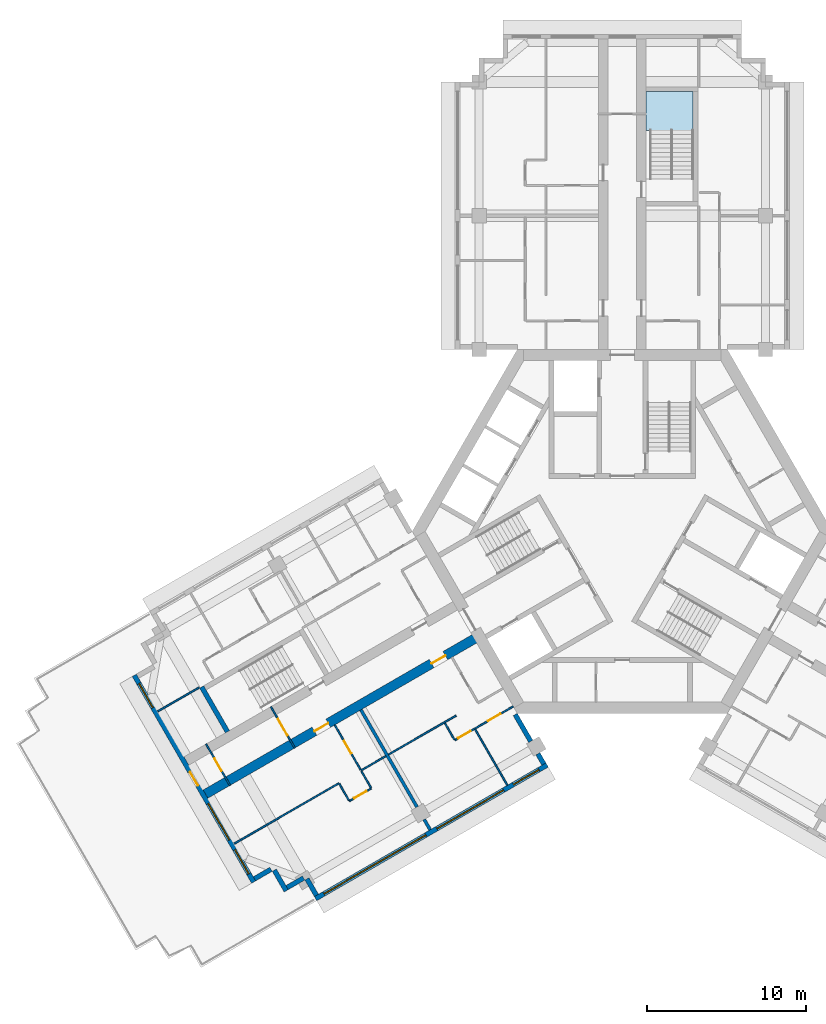
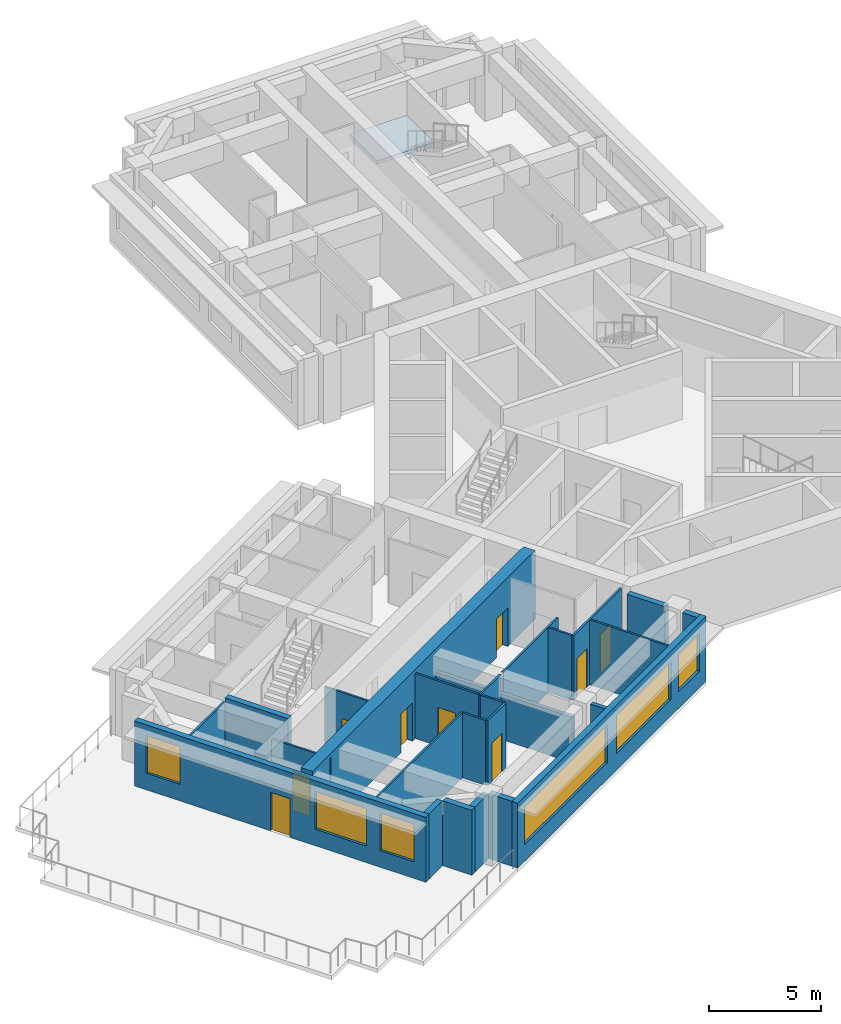
# One storey, part 2 of 11: 25 walls, 9 doors, 6 windows, 1 slab, 15 openings, 1 element without a shape of its own.
"""IFC4 building model written with IfcOpenShell, lengths in metres."""

from ifc_helpers import new_model, si_unit, direction, frame, frame_2d, origin, place, context, subcontext, project, spatial, polyline, rectangle, outline, extrude, material, layer, layer_set, type_object, element, fill, aggregate, save


model = new_model("IFC4")

# Units and contexts
model_context = context("Model", 3, precision=1e-05, world=origin(), true_north=direction((0.0, 1.0)))
body_context = subcontext(model_context, "Body", "Model", "MODEL_VIEW")
ifc_project = project(units=[si_unit("LENGTHUNIT", "METRE"), si_unit("AREAUNIT", "SQUARE_METRE"), si_unit("VOLUMEUNIT", "CUBIC_METRE"), si_unit("PLANEANGLEUNIT", "RADIAN"), si_unit("MASSUNIT", "GRAM", prefix="KILO")], contexts=[model_context])

# Site, building, storey
site_placement = place(None, origin())
site = spatial("IfcSite", under=ifc_project, at=site_placement, CompositionType="ELEMENT")
building_placement = place(site_placement, origin())
building = spatial("IfcBuilding", under=site, at=building_placement, Name="Impinga Residences", CompositionType="ELEMENT")
storey_placement = place(building_placement, frame((0.0, 0.0, 218.5)))
storey = spatial("IfcBuildingStorey", under=building, at=storey_placement, Name="L54", CompositionType="ELEMENT", Elevation=218.5)

# Stair, slab
ifc_material_1 = material(Name="Concrete C40/50", Category="concrete")
stair_type = type_object("IfcStairType", Name="STR wing stair 3750 storey, 24 risers", PredefinedType="HALF_TURN_STAIR", material=ifc_material_1)
stair_placement = place(storey_placement, origin())
stair = element("IfcStair", 1, at=stair_placement, inside=storey, type_object=stair_type, Name="Stair WS1 L54", PredefinedType="HALF_TURN_STAIR")
ifc_layer_1 = layer(ifc_material_1, 0.199951171875)
ifc_layer_set_1 = layer_set([ifc_layer_1], Name="Concrete C40/50")
slab_type = type_object("IfcSlabType", Name="LS1 stair landing 200", PredefinedType="LANDING", material=ifc_layer_set_1)
slab_placement = place(storey_placement, frame((0.0, 0.0, 1.675048828125)))
slab = element("IfcSlab", 2, at=slab_placement, type_object=slab_type, Name="WS1 landing 2", PredefinedType="LANDING", context=body_context, shape_type="SweptSolid", body=[
    extrude(outline(polyline([(1.5, 25.201416015625), (4.449951171875, 25.201416015625), (4.449951171875, 27.631591796875), (1.5, 27.631591796875), (1.5, 25.201416015625)])), origin(), (0.0, 0.0, 1.0), 0.199951171875),
])
aggregate(stair, [slab])

# Wall, openings, doors
ifc_material_2 = material(Name="Concrete C60/75", Category="concrete")
ifc_layer_2 = layer(ifc_material_2, 0.60009765625)
ifc_layer_set_2 = layer_set([ifc_layer_2], Name="Concrete C60/75")
wall_type_1 = type_object("IfcWallType", Name="BW3 corridor buttress wall, L46 to L73 600", PredefinedType="SHEAR", material=ifc_layer_set_2)
wall_1_placement = place(storey_placement, frame((-8.996826171875, -6.580078125, 0.0), z_axis=(0.0, 0.0, 1.0), x_axis=(-0.866030540451, -0.499991102927, 0.0)))
wall_1 = element("IfcWall", 3, at=wall_1_placement, inside=storey, type_object=wall_type_1, Name="Corridor wall BW3 WC L54", PredefinedType="SHEAR", context=body_context, shape_type="SweptSolid", body=[
    extrude(rectangle(XDim=19.849853515625, YDim=0.60009765625, at=frame_2d((9.9248046875, 0.0))), origin(), (0.0, 0.0, 1.0), 3.75),
])
opening_1_placement = place(wall_1_placement, frame((2.449951171875, 0.0, 0.0)))
opening_1 = element("IfcOpeningElement", 4, at=opening_1_placement, cuts=wall_1, Name="Opening D1", PredefinedType="OPENING", context=body_context, shape_type="SweptSolid", body=[
    extrude(rectangle(XDim=1.0, YDim=2.10009765625, at=frame_2d((0.5, 1.050048828125))), frame((0.0, 0.31005859375, 0.0), z_axis=(0.0, -1.0, 0.0), x_axis=(1.0, 0.0, 0.0)), (0.0, 0.0, 1.0), 0.6201171875),
])
opening_2_placement = place(wall_1_placement, frame((10.949951171875, 0.0, 0.0)))
opening_2 = element("IfcOpeningElement", 5, at=opening_2_placement, cuts=wall_1, Name="Opening D1", PredefinedType="OPENING", context=body_context, shape_type="SweptSolid", body=[
    extrude(rectangle(XDim=1.0, YDim=2.10009765625, at=frame_2d((0.5, 1.050048828125))), frame((0.0, 0.31005859375, 0.0), z_axis=(0.0, -1.0, 0.0), x_axis=(1.0, 0.0, 0.0)), (0.0, 0.0, 1.0), 0.6201171875),
])
ifc_material_3 = material(Name="Timber door set", Category="wood")
door_type_1 = type_object("IfcDoorType", Name="D1 apartment entrance door 1000x2100", OperationType="SINGLE_SWING_LEFT", PredefinedType="DOOR", material=ifc_material_3)
door_1_placement = place(opening_1_placement, origin())
door_1 = element("IfcDoor", 6, at=door_1_placement, inside=storey, type_object=door_type_1, Name="Apartment L54-WA1 entrance", OperationType="SINGLE_SWING_LEFT", OverallHeight=2.10009765625, OverallWidth=1.0, PredefinedType="DOOR", context=body_context, shape_type="SweptSolid", body=[
    extrude(rectangle(XDim=1.0, YDim=2.10009765625, at=frame_2d((0.5, 1.050048828125))), frame((0.0, 0.02490234375, 0.0), z_axis=(0.0, -1.0, 0.0), x_axis=(1.0, 0.0, 0.0)), (0.0, 0.0, 1.0), 0.050048828125),
])
fill(opening_1, door_1)
door_2_placement = place(opening_2_placement, origin())
door_2 = element("IfcDoor", 7, at=door_2_placement, inside=storey, type_object=door_type_1, Name="Apartment L54-WA2 entrance", OperationType="SINGLE_SWING_RIGHT", OverallHeight=2.10009765625, OverallWidth=1.0, PredefinedType="DOOR", context=body_context, shape_type="SweptSolid", body=[
    extrude(rectangle(XDim=1.0, YDim=2.10009765625, at=frame_2d((0.5, 1.050048828125))), frame((0.0, 0.02490234375, 0.0), z_axis=(0.0, -1.0, 0.0), x_axis=(1.0, 0.0, 0.0)), (0.0, 0.0, 1.0), 0.050048828125),
])
fill(opening_2, door_2)

# Wall, opening, door
ifc_material_4 = material(Name="Concrete blockwork", Category="masonry")
ifc_layer_3 = layer(ifc_material_4, 0.10009765625)
ifc_layer_set_3 = layer_set([ifc_layer_3], Name="CP1 core room partition, blockwork 100")
wall_type_2 = type_object("IfcWallType", Name="CP1 core room partition, blockwork 100", PredefinedType="PARTITIONING", material=ifc_layer_set_3)
wall_2_placement = place(storey_placement, frame((-20.58154296875, -13.61474609375, 0.0), z_axis=(0.0, 0.0, 1.0), x_axis=(-0.50002537861, 0.866010750942, 0.0)))
wall_2 = element("IfcWall", 8, at=wall_2_placement, inside=storey, type_object=wall_type_2, Name="Core room partition, blockwork L54:W:LNG", PredefinedType="PARTITIONING", context=body_context, shape_type="SweptSolid", body=[
    extrude(rectangle(XDim=2.999755859375, YDim=0.10009765625, at=frame_2d((1.5, 0.0))), origin(), (0.0, 0.0, 1.0), 3.530029296875),
])
opening_3_placement = place(wall_2_placement, frame((0.89990234375, 0.0, 0.0)))
opening_3 = element("IfcOpeningElement", 9, at=opening_3_placement, cuts=wall_2, Name="Opening D3", PredefinedType="OPENING", context=body_context, shape_type="SweptSolid", body=[
    extrude(rectangle(XDim=1.199951171875, YDim=2.10009765625, at=frame_2d((0.60009765625, 1.050048828125))), frame((0.0, 0.06005859375, 0.0), z_axis=(0.0, -1.0, 0.0), x_axis=(1.0, 0.0, 0.0)), (0.0, 0.0, 1.0), 0.1201171875),
])
door_type_2 = type_object("IfcDoorType", Name="D3 room door, leaf and a half 1200x2100", OperationType="DOUBLE_SWING_LEFT", PredefinedType="DOOR", material=ifc_material_3)
door_3_placement = place(opening_3_placement, origin())
door_3 = element("IfcDoor", 10, at=door_3_placement, inside=storey, type_object=door_type_2, Name="Residents' lounge door W", OperationType="DOUBLE_SWING_LEFT", OverallHeight=2.10009765625, OverallWidth=1.199951171875, PredefinedType="DOOR", context=body_context, shape_type="SweptSolid", body=[
    extrude(rectangle(XDim=1.199951171875, YDim=2.10009765625, at=frame_2d((0.60009765625, 1.050048828125))), frame((0.0, 0.02490234375, 0.0), z_axis=(0.0, -1.0, 0.0), x_axis=(1.0, 0.0, 0.0)), (0.0, 0.0, 1.0), 0.050048828125),
])
fill(opening_3, door_3)

wall_3_placement = place(storey_placement, frame((-24.65185546875, -15.96484375, 0.0), z_axis=(0.0, 0.0, 1.0), x_axis=(-0.499990139034, 0.866031096941, 0.0)))
wall_3 = element("IfcWall", 11, at=wall_3_placement, inside=storey, type_object=wall_type_2, Name="Core room partition, blockwork L54:W:RFA", PredefinedType="PARTITIONING", context=body_context, shape_type="SweptSolid", body=[
    extrude(rectangle(XDim=3.0, YDim=0.10009765625, at=frame_2d((1.5, 0.0))), origin(), (0.0, 0.0, 1.0), 3.530029296875),
])
opening_4_placement = place(wall_3_placement, frame((1.050048828125, 0.0, 0.0)))
opening_4 = element("IfcOpeningElement", 12, at=opening_4_placement, cuts=wall_3, Name="Opening D6", PredefinedType="OPENING", context=body_context, shape_type="SweptSolid", body=[
    extrude(rectangle(XDim=0.89990234375, YDim=2.10009765625, at=frame_2d((0.449951171875, 1.050048828125))), frame((0.0, 0.06005859375, 0.0), z_axis=(0.0, -1.0, 0.0), x_axis=(1.0, 0.0, 0.0)), (0.0, 0.0, 1.0), 0.1201171875),
])
door_type_3 = type_object("IfcDoorType", Name="D6 riser and store door 900x2100", OperationType="SINGLE_SWING_LEFT", PredefinedType="DOOR", material=ifc_material_3)
door_4_placement = place(opening_4_placement, origin())
door_4 = element("IfcDoor", 13, at=door_4_placement, inside=storey, type_object=door_type_3, Name="Roof access room door W", OperationType="SINGLE_SWING_RIGHT", OverallHeight=2.10009765625, OverallWidth=0.89990234375, PredefinedType="DOOR", context=body_context, shape_type="SweptSolid", body=[
    extrude(rectangle(XDim=0.89990234375, YDim=2.10009765625, at=frame_2d((0.449951171875, 1.050048828125))), frame((0.0, 0.02490234375, 0.0), z_axis=(0.0, -1.0, 0.0), x_axis=(1.0, 0.0, 0.0)), (0.0, 0.0, 1.0), 0.050048828125),
])
fill(opening_4, door_4)

# Walls
ifc_material_5 = material(Name="Terracotta rainscreen on blockwork", Category="masonry")
ifc_layer_4 = layer(ifc_material_5, 0.300048828125)
ifc_layer_set_4 = layer_set([ifc_layer_4], Name="EW1 external wall, terracotta rainscreen on blockwork 300")
wall_type_3 = type_object("IfcWallType", Name="EW1 external wall, terracotta rainscreen on blockwork 300", PredefinedType="SOLIDWALL", material=ifc_layer_set_4)
wall_4_placement = place(storey_placement, frame((-6.72998046875, -11.506591796875, 0.0), z_axis=(0.0, 0.0, 1.0), x_axis=(0.500043961785, -0.866000020948, 0.0)))
element("IfcWall", 14, at=wall_4_placement, inside=storey, type_object=wall_type_3, Name="External wall EW1 L54", PredefinedType="SOLIDWALL", context=body_context, shape_type="SweptSolid", body=[
    extrude(rectangle(XDim=1.949951171875, YDim=0.300048828125, at=frame_2d((0.97509765625, 0.0))), origin(), (0.0, 0.0, 1.0), 3.530029296875),
])
wall_5_placement = place(storey_placement, frame((-5.304931640625, -13.974609375, 0.0), z_axis=(0.0, 0.0, 1.0), x_axis=(0.499919672301, -0.866071776036, 0.0)))
element("IfcWall", 15, at=wall_5_placement, inside=storey, type_object=wall_type_3, Name="External wall EW1 L54", PredefinedType="SOLIDWALL", context=body_context, shape_type="SweptSolid", body=[
    extrude(rectangle(XDim=0.75, YDim=0.300048828125, at=frame_2d((0.375, 0.0))), origin(), (0.0, 0.0, 1.0), 3.530029296875),
])

# Wall, openings, windows
wall_6_placement = place(storey_placement, frame((-4.72509765625, -14.67919921875, 0.0), z_axis=(0.0, 0.0, 1.0), x_axis=(-0.86602562146, -0.499999622975, 0.0)))
wall_6 = element("IfcWall", 16, at=wall_6_placement, inside=storey, type_object=wall_type_3, Name="External wall EW1 L54", PredefinedType="SOLIDWALL", context=body_context, shape_type="SweptSolid", body=[
    extrude(rectangle(XDim=16.7998046875, YDim=0.300048828125, at=frame_2d((8.39990234375, 0.0))), origin(), (0.0, 0.0, 1.0), 3.530029296875),
])
opening_5_placement = place(wall_6_placement, frame((0.60009765625, 0.0, 0.89990234375)))
opening_5 = element("IfcOpeningElement", 17, at=opening_5_placement, cuts=wall_6, Name="Opening W15", PredefinedType="OPENING", context=body_context, shape_type="SweptSolid", body=[
    extrude(rectangle(XDim=1.85009765625, YDim=2.050048828125, at=frame_2d((0.925048828125, 1.02490234375))), frame((0.0, 0.159912109375, 0.0), z_axis=(0.0, -1.0, 0.0), x_axis=(1.0, 0.0, 0.0)), (0.0, 0.0, 1.0), 0.320068359375),
])
opening_6_placement = place(wall_6_placement, frame((3.14990234375, 0.0, 0.89990234375)))
opening_6 = element("IfcOpeningElement", 18, at=opening_6_placement, cuts=wall_6, Name="Opening W6", PredefinedType="OPENING", context=body_context, shape_type="SweptSolid", body=[
    extrude(rectangle(XDim=4.85009765625, YDim=2.050048828125, at=frame_2d((2.425048828125, 1.02490234375))), frame((0.0, 0.159912109375, 0.0), z_axis=(0.0, -1.0, 0.0), x_axis=(1.0, 0.0, 0.0)), (0.0, 0.0, 1.0), 0.320068359375),
])
opening_7_placement = place(wall_6_placement, frame((8.800048828125, 0.0, 0.89990234375)))
opening_7 = element("IfcOpeningElement", 19, at=opening_7_placement, cuts=wall_6, Name="Opening W12", PredefinedType="OPENING", context=body_context, shape_type="SweptSolid", body=[
    extrude(rectangle(XDim=7.39990234375, YDim=2.050048828125, at=frame_2d((3.699951171875, 1.02490234375))), frame((0.0, 0.159912109375, 0.0), z_axis=(0.0, -1.0, 0.0), x_axis=(1.0, 0.0, 0.0)), (0.0, 0.0, 1.0), 0.320068359375),
])
ifc_material_6 = material(Name="Aluminium window, clear double glazing", Category="aluminium")
window_type_1 = type_object("IfcWindowType", Name="W12 ribbon window 7400x2050", PartitioningType="SINGLE_PANEL", PredefinedType="WINDOW", material=ifc_material_6)
window_1_placement = place(opening_7_placement, origin())
window_1 = element("IfcWindow", 20, at=window_1_placement, inside=storey, type_object=window_type_1, Name="Window L54", OverallHeight=2.050048828125, OverallWidth=7.39990234375, PartitioningType="SINGLE_PANEL", PredefinedType="WINDOW", context=body_context, shape_type="SweptSolid", body=[
    extrude(rectangle(XDim=7.39990234375, YDim=2.050048828125, at=frame_2d((3.699951171875, 1.02490234375))), frame((0.0, 0.030029296875, 0.0), z_axis=(0.0, -1.0, 0.0), x_axis=(1.0, 0.0, 0.0)), (0.0, 0.0, 1.0), 0.06005859375),
])
fill(opening_7, window_1)
window_type_2 = type_object("IfcWindowType", Name="W15 ribbon window 1850x2050", PartitioningType="SINGLE_PANEL", PredefinedType="WINDOW", material=ifc_material_6)
window_2_placement = place(opening_5_placement, origin())
window_2 = element("IfcWindow", 21, at=window_2_placement, inside=storey, type_object=window_type_2, Name="Window L54", OverallHeight=2.050048828125, OverallWidth=1.85009765625, PartitioningType="SINGLE_PANEL", PredefinedType="WINDOW", context=body_context, shape_type="SweptSolid", body=[
    extrude(rectangle(XDim=1.85009765625, YDim=2.050048828125, at=frame_2d((0.925048828125, 1.02490234375))), frame((0.0, 0.030029296875, 0.0), z_axis=(0.0, -1.0, 0.0), x_axis=(1.0, 0.0, 0.0)), (0.0, 0.0, 1.0), 0.06005859375),
])
fill(opening_5, window_2)
window_type_3 = type_object("IfcWindowType", Name="W6 ribbon window 4850x2050", PartitioningType="SINGLE_PANEL", PredefinedType="WINDOW", material=ifc_material_6)
window_3_placement = place(opening_6_placement, origin())
window_3 = element("IfcWindow", 22, at=window_3_placement, inside=storey, type_object=window_type_3, Name="Window L54", OverallHeight=2.050048828125, OverallWidth=4.85009765625, PartitioningType="SINGLE_PANEL", PredefinedType="WINDOW", context=body_context, shape_type="SweptSolid", body=[
    extrude(rectangle(XDim=4.85009765625, YDim=2.050048828125, at=frame_2d((2.425048828125, 1.02490234375))), frame((0.0, 0.030029296875, 0.0), z_axis=(0.0, -1.0, 0.0), x_axis=(1.0, 0.0, 0.0)), (0.0, 0.0, 1.0), 0.06005859375),
])
fill(opening_6, window_3)

# Walls
wall_7_placement = place(storey_placement, frame((-19.21923828125, -22.874267578125, 0.0), z_axis=(0.0, 0.0, 1.0), x_axis=(-0.500033551112, 0.866006032174, 0.0)))
element("IfcWall", 23, at=wall_7_placement, inside=storey, type_object=wall_type_3, Name="External wall EW1 L54", PredefinedType="SOLIDWALL", context=body_context, shape_type="SweptSolid", body=[
    extrude(rectangle(XDim=1.2001953125, YDim=0.300048828125, at=frame_2d((0.60009765625, 0.0))), origin(), (0.0, 0.0, 1.0), 3.530029296875),
])
wall_8_placement = place(storey_placement, frame((-20.028564453125, -21.782470703125, 0.0), z_axis=(0.0, 0.0, 1.0), x_axis=(-0.865971243484, -0.500093796661, 0.0)))
element("IfcWall", 24, at=wall_8_placement, inside=storey, type_object=wall_type_3, Name="External wall EW1 L54", PredefinedType="SOLIDWALL", context=body_context, shape_type="SweptSolid", body=[
    extrude(rectangle(XDim=1.195068359375, YDim=0.300048828125, at=frame_2d((0.59765625, 0.0))), origin(), (0.0, 0.0, 1.0), 3.530029296875),
])
wall_9_placement = place(storey_placement, frame((-21.118408203125, -22.5849609375, 0.0), z_axis=(0.0, 0.0, 1.0), x_axis=(-0.499990139034, 0.866031096941, 0.0)))
element("IfcWall", 25, at=wall_9_placement, inside=storey, type_object=wall_type_3, Name="External wall EW1 L54", PredefinedType="SOLIDWALL", context=body_context, shape_type="SweptSolid", body=[
    extrude(rectangle(XDim=1.5, YDim=0.300048828125, at=frame_2d((0.75, 0.0))), origin(), (0.0, 0.0, 1.0), 3.530029296875),
])
wall_10_placement = place(storey_placement, frame((-22.07763671875, -21.233642578125, 0.0), z_axis=(0.0, 0.0, 1.0), x_axis=(-0.866059708757, -0.499940577336, 0.0)))
element("IfcWall", 26, at=wall_10_placement, inside=storey, type_object=wall_type_3, Name="External wall EW1 L54", PredefinedType="SOLIDWALL", context=body_context, shape_type="SweptSolid", body=[
    extrude(rectangle(XDim=1.195068359375, YDim=0.300048828125, at=frame_2d((0.59765625, 0.0))), origin(), (0.0, 0.0, 1.0), 3.530029296875),
])

# Wall, openings, door, windows
wall_11_placement = place(storey_placement, frame((-23.16748046875, -22.035888671875, 0.0), z_axis=(0.0, 0.0, 1.0), x_axis=(-0.500004234368, 0.866022959057, 0.0)))
wall_11 = element("IfcWall", 27, at=wall_11_placement, inside=storey, type_object=wall_type_3, Name="External wall EW1 L54", PredefinedType="SOLIDWALL", context=body_context, shape_type="SweptSolid", body=[
    extrude(rectangle(XDim=14.999755859375, YDim=0.300048828125, at=frame_2d((7.5, 0.0))), origin(), (0.0, 0.0, 1.0), 3.530029296875),
])
opening_8_placement = place(wall_11_placement, frame((7.0, 0.0, 0.0)))
opening_8 = element("IfcOpeningElement", 28, at=opening_8_placement, cuts=wall_11, Name="Opening RD1", PredefinedType="OPENING", context=body_context, shape_type="SweptSolid", body=[
    extrude(rectangle(XDim=1.0, YDim=2.10009765625, at=frame_2d((0.5, 1.050048828125))), frame((0.0, 0.159912109375, 0.0), z_axis=(0.0, -1.0, 0.0), x_axis=(1.0, 0.0, 0.0)), (0.0, 0.0, 1.0), 0.320068359375),
])
opening_9_placement = place(wall_11_placement, frame((0.60009765625, 0.0, 0.89990234375)))
opening_9 = element("IfcOpeningElement", 29, at=opening_9_placement, cuts=wall_11, Name="Opening W1", PredefinedType="OPENING", context=body_context, shape_type="SweptSolid", body=[
    extrude(rectangle(XDim=1.75, YDim=2.050048828125, at=frame_2d((0.875, 1.02490234375))), frame((0.0, 0.159912109375, 0.0), z_axis=(0.0, -1.0, 0.0), x_axis=(1.0, 0.0, 0.0)), (0.0, 0.0, 1.0), 0.320068359375),
])
opening_10_placement = place(wall_11_placement, frame((3.050048828125, 0.0, 0.89990234375)))
opening_10 = element("IfcOpeningElement", 30, at=opening_10_placement, cuts=wall_11, Name="Opening W18", PredefinedType="OPENING", context=body_context, shape_type="SweptSolid", body=[
    extrude(rectangle(XDim=2.64990234375, YDim=2.050048828125, at=frame_2d((1.324951171875, 1.02490234375))), frame((0.0, 0.159912109375, 0.0), z_axis=(0.0, -1.0, 0.0), x_axis=(1.0, 0.0, 0.0)), (0.0, 0.0, 1.0), 0.320068359375),
])
opening_11_placement = place(wall_11_placement, frame((12.64990234375, 0.0, 0.89990234375)))
opening_11 = element("IfcOpeningElement", 31, at=opening_11_placement, cuts=wall_11, Name="Opening W1", PredefinedType="OPENING", context=body_context, shape_type="SweptSolid", body=[
    extrude(rectangle(XDim=1.75, YDim=2.050048828125, at=frame_2d((0.875, 1.02490234375))), frame((0.0, 0.159912109375, 0.0), z_axis=(0.0, -1.0, 0.0), x_axis=(1.0, 0.0, 0.0)), (0.0, 0.0, 1.0), 0.320068359375),
])
ifc_material_7 = material(Name="Steel door, painted", Category="steel")
door_type_4 = type_object("IfcDoorType", Name="RD1 maintenance roof access door 1000x2100", OperationType="SINGLE_SWING_LEFT", PredefinedType="DOOR", material=ifc_material_7)
door_5_placement = place(opening_8_placement, origin())
door_5 = element("IfcDoor", 32, at=door_5_placement, inside=storey, type_object=door_type_4, Name="Maintenance roof access door L54", OperationType="SINGLE_SWING_LEFT", OverallHeight=2.10009765625, OverallWidth=1.0, PredefinedType="DOOR", context=body_context, shape_type="SweptSolid", body=[
    extrude(rectangle(XDim=1.0, YDim=2.10009765625, at=frame_2d((0.5, 1.050048828125))), frame((0.0, 0.02490234375, 0.0), z_axis=(0.0, -1.0, 0.0), x_axis=(1.0, 0.0, 0.0)), (0.0, 0.0, 1.0), 0.050048828125),
])
fill(opening_8, door_5)
window_type_4 = type_object("IfcWindowType", Name="W1 ribbon window 1750x2050", PartitioningType="SINGLE_PANEL", PredefinedType="WINDOW", material=ifc_material_6)
window_4_placement = place(opening_9_placement, origin())
window_4 = element("IfcWindow", 33, at=window_4_placement, inside=storey, type_object=window_type_4, Name="Window L54", OverallHeight=2.050048828125, OverallWidth=1.75, PartitioningType="SINGLE_PANEL", PredefinedType="WINDOW", context=body_context, shape_type="SweptSolid", body=[
    extrude(rectangle(XDim=1.75, YDim=2.050048828125, at=frame_2d((0.875, 1.02490234375))), frame((0.0, 0.030029296875, 0.0), z_axis=(0.0, -1.0, 0.0), x_axis=(1.0, 0.0, 0.0)), (0.0, 0.0, 1.0), 0.06005859375),
])
fill(opening_9, window_4)
window_5_placement = place(opening_11_placement, origin())
window_5 = element("IfcWindow", 34, at=window_5_placement, inside=storey, type_object=window_type_4, Name="Window L54", OverallHeight=2.050048828125, OverallWidth=1.75, PartitioningType="SINGLE_PANEL", PredefinedType="WINDOW", context=body_context, shape_type="SweptSolid", body=[
    extrude(rectangle(XDim=1.75, YDim=2.050048828125, at=frame_2d((0.875, 1.02490234375))), frame((0.0, 0.030029296875, 0.0), z_axis=(0.0, -1.0, 0.0), x_axis=(1.0, 0.0, 0.0)), (0.0, 0.0, 1.0), 0.06005859375),
])
fill(opening_11, window_5)
window_type_5 = type_object("IfcWindowType", Name="W18 ribbon window 2650x2050", PartitioningType="SINGLE_PANEL", PredefinedType="WINDOW", material=ifc_material_6)
window_6_placement = place(opening_10_placement, origin())
window_6 = element("IfcWindow", 35, at=window_6_placement, inside=storey, type_object=window_type_5, Name="Window L54", OverallHeight=2.050048828125, OverallWidth=2.64990234375, PartitioningType="SINGLE_PANEL", PredefinedType="WINDOW", context=body_context, shape_type="SweptSolid", body=[
    extrude(rectangle(XDim=2.64990234375, YDim=2.050048828125, at=frame_2d((1.324951171875, 1.02490234375))), frame((0.0, 0.030029296875, 0.0), z_axis=(0.0, -1.0, 0.0), x_axis=(1.0, 0.0, 0.0)), (0.0, 0.0, 1.0), 0.06005859375),
])
fill(opening_10, window_6)

# Wall
ifc_material_8 = material(Name="Gypsum board on steel studs", Category="steel")
ifc_layer_5 = layer(ifc_material_8, 0.10009765625)
ifc_layer_set_5 = layer_set([ifc_layer_5], Name="Gypsum board on steel studs")
wall_type_4 = type_object("IfcWallType", Name="IP1 partition 100", PredefinedType="PARTITIONING", material=ifc_layer_set_5)
wall_12_placement = place(storey_placement, frame((-10.444580078125, -11.57275390625, 0.0), z_axis=(0.0, 0.0, 1.0), x_axis=(-0.866023786258, -0.500002801628, 0.0)))
element("IfcWall", 36, at=wall_12_placement, inside=storey, type_object=wall_type_4, Name="Partition L54-WA1:DIV1", PredefinedType="PARTITIONING", context=body_context, shape_type="SweptSolid", body=[
    extrude(rectangle(XDim=4.89990234375, YDim=0.10009765625, at=frame_2d((2.449951171875, 0.0))), origin(), (0.0, 0.0, 1.0), 3.530029296875),
])

# Wall, openings, doors
wall_13_placement = place(storey_placement, frame((-6.85009765625, -10.99853515625, 0.0), z_axis=(0.0, 0.0, 1.0), x_axis=(-0.866014341725, -0.50001915956, 0.0)))
wall_13 = element("IfcWall", 37, at=wall_13_placement, inside=storey, type_object=wall_type_4, Name="Partition L54-WA1:STRIP", PredefinedType="PARTITIONING", context=body_context, shape_type="SweptSolid", body=[
    extrude(rectangle(XDim=4.249755859375, YDim=0.10009765625, at=frame_2d((2.125, 0.0))), origin(), (0.0, 0.0, 1.0), 3.530029296875),
])
opening_12_placement = place(wall_13_placement, frame((0.925048828125, 0.0, 0.0)))
opening_12 = element("IfcOpeningElement", 38, at=opening_12_placement, cuts=wall_13, Name="Opening D2", PredefinedType="OPENING", context=body_context, shape_type="SweptSolid", body=[
    extrude(rectangle(XDim=0.89990234375, YDim=2.10009765625, at=frame_2d((0.449951171875, 1.050048828125))), frame((0.0, 0.06005859375, 0.0), z_axis=(0.0, -1.0, 0.0), x_axis=(1.0, 0.0, 0.0)), (0.0, 0.0, 1.0), 0.1201171875),
])
opening_13_placement = place(wall_13_placement, frame((3.10009765625, 0.0, 0.0)))
opening_13 = element("IfcOpeningElement", 39, at=opening_13_placement, cuts=wall_13, Name="Opening D2", PredefinedType="OPENING", context=body_context, shape_type="SweptSolid", body=[
    extrude(rectangle(XDim=0.89990234375, YDim=2.10009765625, at=frame_2d((0.449951171875, 1.050048828125))), frame((0.0, 0.06005859375, 0.0), z_axis=(0.0, -1.0, 0.0), x_axis=(1.0, 0.0, 0.0)), (0.0, 0.0, 1.0), 0.1201171875),
])
door_type_5 = type_object("IfcDoorType", Name="D2 internal door 900x2100", OperationType="SINGLE_SWING_LEFT", PredefinedType="DOOR", material=ifc_material_3)
door_6_placement = place(opening_12_placement, origin())
door_6 = element("IfcDoor", 40, at=door_6_placement, inside=storey, type_object=door_type_5, Name="Apartment L54-WA1 room door", OperationType="SINGLE_SWING_LEFT", OverallHeight=2.10009765625, OverallWidth=0.89990234375, PredefinedType="DOOR", context=body_context, shape_type="SweptSolid", body=[
    extrude(rectangle(XDim=0.89990234375, YDim=2.10009765625, at=frame_2d((0.449951171875, 1.050048828125))), frame((0.0, 0.02490234375, 0.0), z_axis=(0.0, -1.0, 0.0), x_axis=(1.0, 0.0, 0.0)), (0.0, 0.0, 1.0), 0.050048828125),
])
fill(opening_12, door_6)
door_7_placement = place(opening_13_placement, origin())
door_7 = element("IfcDoor", 41, at=door_7_placement, inside=storey, type_object=door_type_5, Name="Apartment L54-WA1 room door", OperationType="SINGLE_SWING_RIGHT", OverallHeight=2.10009765625, OverallWidth=0.89990234375, PredefinedType="DOOR", context=body_context, shape_type="SweptSolid", body=[
    extrude(rectangle(XDim=0.89990234375, YDim=2.10009765625, at=frame_2d((0.449951171875, 1.050048828125))), frame((0.0, 0.02490234375, 0.0), z_axis=(0.0, -1.0, 0.0), x_axis=(1.0, 0.0, 0.0)), (0.0, 0.0, 1.0), 0.050048828125),
])
fill(opening_13, door_7)

# Walls
wall_14_placement = place(storey_placement, frame((-11.155517578125, -12.041015625, 0.0), z_axis=(0.0, 0.0, 1.0), x_axis=(0.499880961361, -0.866094119867, 0.0)))
element("IfcWall", 42, at=wall_14_placement, inside=storey, type_object=wall_type_4, Name="Partition L54-WA1:SE1", PredefinedType="PARTITIONING", context=body_context, shape_type="SweptSolid", body=[
    extrude(rectangle(XDim=1.199951171875, YDim=0.10009765625, at=frame_2d((0.60009765625, 0.0))), origin(), (0.0, 0.0, 1.0), 3.530029296875),
])
wall_15_placement = place(storey_placement, frame((-9.249755859375, -12.44189453125, 0.0), z_axis=(0.0, 0.0, 1.0), x_axis=(0.499990325971, -0.866030989016, 0.0)))
element("IfcWall", 43, at=wall_15_placement, inside=storey, type_object=wall_type_4, Name="Partition L54-WA1:OB1", PredefinedType="PARTITIONING", context=body_context, shape_type="SweptSolid", body=[
    extrude(rectangle(XDim=4.0498046875, YDim=0.10009765625, at=frame_2d((2.02490234375, 0.0))), origin(), (0.0, 0.0, 1.0), 3.530029296875),
])
wall_16_placement = place(storey_placement, frame((-14.861328125, -14.122802734375, 0.0), z_axis=(0.0, 0.0, 1.0), x_axis=(-0.866047807691, -0.499961193289, 0.0)))
element("IfcWall", 44, at=wall_16_placement, inside=storey, type_object=wall_type_4, Name="Partition L54-WA2:DIV0", PredefinedType="PARTITIONING", context=body_context, shape_type="SweptSolid", body=[
    extrude(rectangle(XDim=1.800048828125, YDim=0.10009765625, at=frame_2d((0.89990234375, 0.0))), origin(), (0.0, 0.0, 1.0), 3.530029296875),
])
wall_17_placement = place(storey_placement, frame((-17.8056640625, -15.82275390625, 0.0), z_axis=(0.0, 0.0, 1.0), x_axis=(-0.866022425744, -0.500005158081, 0.0)))
element("IfcWall", 45, at=wall_17_placement, inside=storey, type_object=wall_type_4, Name="Partition L54-WA2:DIV1", PredefinedType="PARTITIONING", context=body_context, shape_type="SweptSolid", body=[
    extrude(rectangle(XDim=7.60009765625, YDim=0.10009765625, at=frame_2d((3.800048828125, 0.0))), origin(), (0.0, 0.0, 1.0), 3.530029296875),
])

# Wall, opening, door
wall_18_placement = place(storey_placement, frame((-15.77001953125, -16.1484375, 0.0), z_axis=(0.0, 0.0, 1.0), x_axis=(-0.866028054938, -0.499995408039, 0.0)))
wall_18 = element("IfcWall", 46, at=wall_18_placement, inside=storey, type_object=wall_type_4, Name="Partition L54-WA2:STRIP", PredefinedType="PARTITIONING", context=body_context, shape_type="SweptSolid", body=[
    extrude(rectangle(XDim=1.60009765625, YDim=0.10009765625, at=frame_2d((0.800048828125, 0.0))), origin(), (0.0, 0.0, 1.0), 3.530029296875),
])
opening_14_placement = place(wall_18_placement, frame((0.35009765625, 0.0, 0.0)))
opening_14 = element("IfcOpeningElement", 47, at=opening_14_placement, cuts=wall_18, Name="Opening D2", PredefinedType="OPENING", context=body_context, shape_type="SweptSolid", body=[
    extrude(rectangle(XDim=0.89990234375, YDim=2.10009765625, at=frame_2d((0.449951171875, 1.050048828125))), frame((0.0, 0.06005859375, 0.0), z_axis=(0.0, -1.0, 0.0), x_axis=(1.0, 0.0, 0.0)), (0.0, 0.0, 1.0), 0.1201171875),
])
door_8_placement = place(opening_14_placement, origin())
door_8 = element("IfcDoor", 48, at=door_8_placement, inside=storey, type_object=door_type_5, Name="Apartment L54-WA2 room door", OperationType="SINGLE_SWING_LEFT", OverallHeight=2.10009765625, OverallWidth=0.89990234375, PredefinedType="DOOR", context=body_context, shape_type="SweptSolid", body=[
    extrude(rectangle(XDim=0.89990234375, YDim=2.10009765625, at=frame_2d((0.449951171875, 1.050048828125))), frame((0.0, 0.02490234375, 0.0), z_axis=(0.0, -1.0, 0.0), x_axis=(1.0, 0.0, 0.0)), (0.0, 0.0, 1.0), 0.050048828125),
])
fill(opening_14, door_8)

# Walls
wall_19_placement = place(storey_placement, frame((-16.39501953125, -15.06591796875, 0.0), z_axis=(0.0, 0.0, 1.0), x_axis=(0.499880961361, -0.866094119867, 0.0)))
element("IfcWall", 49, at=wall_19_placement, inside=storey, type_object=wall_type_4, Name="Partition L54-WA2:SE0", PredefinedType="PARTITIONING", context=body_context, shape_type="SweptSolid", body=[
    extrude(rectangle(XDim=1.199951171875, YDim=0.10009765625, at=frame_2d((0.60009765625, 0.0))), origin(), (0.0, 0.0, 1.0), 3.530029296875),
])
wall_20_placement = place(storey_placement, frame((-17.78076171875, -15.865966796875, 0.0), z_axis=(0.0, 0.0, 1.0), x_axis=(0.500033551112, -0.866006032174, 0.0)))
element("IfcWall", 50, at=wall_20_placement, inside=storey, type_object=wall_type_4, Name="Partition L54-WA2:SE1", PredefinedType="PARTITIONING", context=body_context, shape_type="SweptSolid", body=[
    extrude(rectangle(XDim=1.2001953125, YDim=0.10009765625, at=frame_2d((0.60009765625, 0.0))), origin(), (0.0, 0.0, 1.0), 3.530029296875),
])

# Wall, opening, door
wall_21_placement = place(storey_placement, frame((-18.070068359375, -12.164794921875, 0.0), z_axis=(0.0, 0.0, 1.0), x_axis=(0.499984717929, -0.866034226713, 0.0)))
wall_21 = element("IfcWall", 51, at=wall_21_placement, inside=storey, type_object=wall_type_4, Name="Partition L54-WA2:IB1", PredefinedType="PARTITIONING", context=body_context, shape_type="SweptSolid", body=[
    extrude(rectangle(XDim=3.25, YDim=0.10009765625, at=frame_2d((1.625, 0.0))), origin(), (0.0, 0.0, 1.0), 3.530029296875),
])
opening_15_placement = place(wall_21_placement, frame((1.175048828125, 0.0, 0.0)))
opening_15 = element("IfcOpeningElement", 52, at=opening_15_placement, cuts=wall_21, Name="Opening D2", PredefinedType="OPENING", context=body_context, shape_type="SweptSolid", body=[
    extrude(rectangle(XDim=0.89990234375, YDim=2.10009765625, at=frame_2d((0.449951171875, 1.050048828125))), frame((0.0, 0.06005859375, 0.0), z_axis=(0.0, -1.0, 0.0), x_axis=(1.0, 0.0, 0.0)), (0.0, 0.0, 1.0), 0.1201171875),
])
door_9_placement = place(opening_15_placement, origin())
door_9 = element("IfcDoor", 53, at=door_9_placement, inside=storey, type_object=door_type_5, Name="Apartment L54-WA2 bathroom door", OperationType="SINGLE_SWING_LEFT", OverallHeight=2.10009765625, OverallWidth=0.89990234375, PredefinedType="DOOR", context=body_context, shape_type="SweptSolid", body=[
    extrude(rectangle(XDim=0.89990234375, YDim=2.10009765625, at=frame_2d((0.449951171875, 1.050048828125))), frame((0.0, 0.02490234375, 0.0), z_axis=(0.0, -1.0, 0.0), x_axis=(1.0, 0.0, 0.0)), (0.0, 0.0, 1.0), 0.050048828125),
])
fill(opening_15, door_9)

# Walls
wall_22_placement = place(storey_placement, frame((-26.58935546875, -9.808837890625, 0.0), z_axis=(0.0, 0.0, 1.0), x_axis=(-0.866031096941, -0.499990139034, 0.0)))
element("IfcWall", 54, at=wall_22_placement, inside=storey, type_object=wall_type_4, Name="Partition L54-WF1:DIV2", PredefinedType="PARTITIONING", context=body_context, shape_type="SweptSolid", body=[
    extrude(rectangle(XDim=3.0, YDim=0.10009765625, at=frame_2d((1.5, 0.0))), origin(), (0.0, 0.0, 1.0), 3.530029296875),
])
ifc_layer_6 = layer(ifc_material_4, 0.199951171875)
ifc_layer_set_6 = layer_set([ifc_layer_6], Name="PW1 party wall between apartments 200")
wall_type_5 = type_object("IfcWallType", Name="PW1 party wall between apartments 200", PredefinedType="SOLIDWALL", material=ifc_layer_set_6)
wall_23_placement = place(storey_placement, frame((-16.424560546875, -11.21484375, 0.0), z_axis=(0.0, 0.0, 1.0), x_axis=(0.499990246421, -0.866031034943, 0.0)))
element("IfcWall", 55, at=wall_23_placement, inside=storey, type_object=wall_type_5, Name="Party wall between apartments L54-WA1:PARTY", PredefinedType="SOLIDWALL", context=body_context, shape_type="SweptSolid", body=[
    extrude(rectangle(XDim=7.050048828125, YDim=0.199951171875, at=frame_2d((3.52490234375, 0.0))), origin(), (0.0, 0.0, 1.0), 2.47998046875),
])
wall_24_placement = place(storey_placement, frame((-12.44970703125, -18.099609375, 0.0), z_axis=(0.0, 0.0, 1.0), x_axis=(0.499919672301, -0.866071776036, 0.0)))
element("IfcWall", 56, at=wall_24_placement, inside=storey, type_object=wall_type_5, Name="Party wall between apartments L54-WA1:PARTYb", PredefinedType="SOLIDWALL", context=body_context, shape_type="SweptSolid", body=[
    extrude(rectangle(XDim=0.75, YDim=0.199951171875, at=frame_2d((0.375, 0.0))), origin(), (0.0, 0.0, 1.0), 3.530029296875),
])
ifc_layer_7 = layer(ifc_material_2, 0.300048828125)
ifc_layer_set_7 = layer_set([ifc_layer_7], Name="Concrete C60/75")
wall_type_6 = type_object("IfcWallType", Name="SE1 wing stair enclosure wall 300", PredefinedType="SOLIDWALL", material=ifc_layer_set_7)
wall_25_placement = place(storey_placement, frame((-24.8095703125, -12.591796875, 0.0), z_axis=(0.0, 0.0, 1.0), x_axis=(-0.499984717929, 0.866034226713, 0.0)))
element("IfcWall", 57, at=wall_25_placement, inside=storey, type_object=wall_type_6, Name="Stair enclosure wall SE1 W END1 L54", PredefinedType="SOLIDWALL", context=body_context, shape_type="SweptSolid", body=[
    extrude(rectangle(XDim=3.25, YDim=0.300048828125, at=frame_2d((1.625, 0.0))), origin(), (0.0, 0.0, 1.0), 3.75),
])

save(model, "model.ifc")
